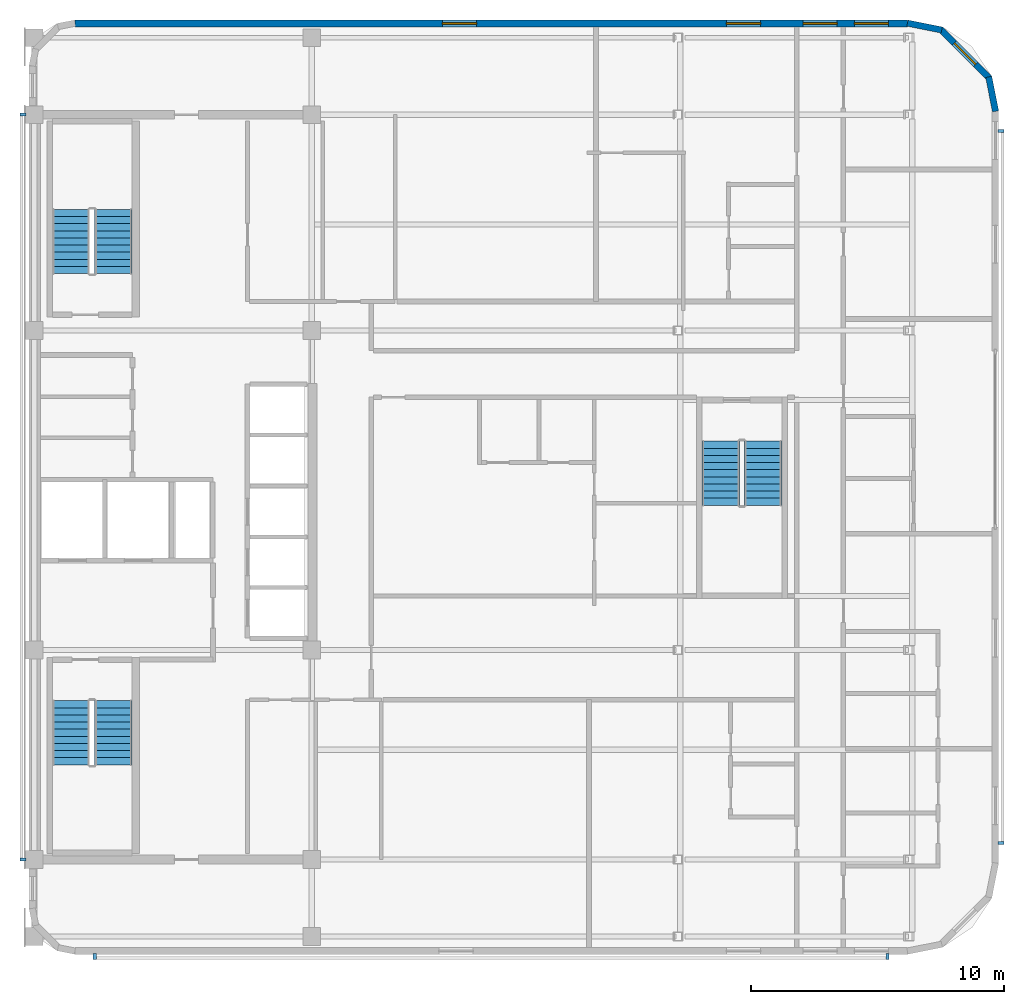
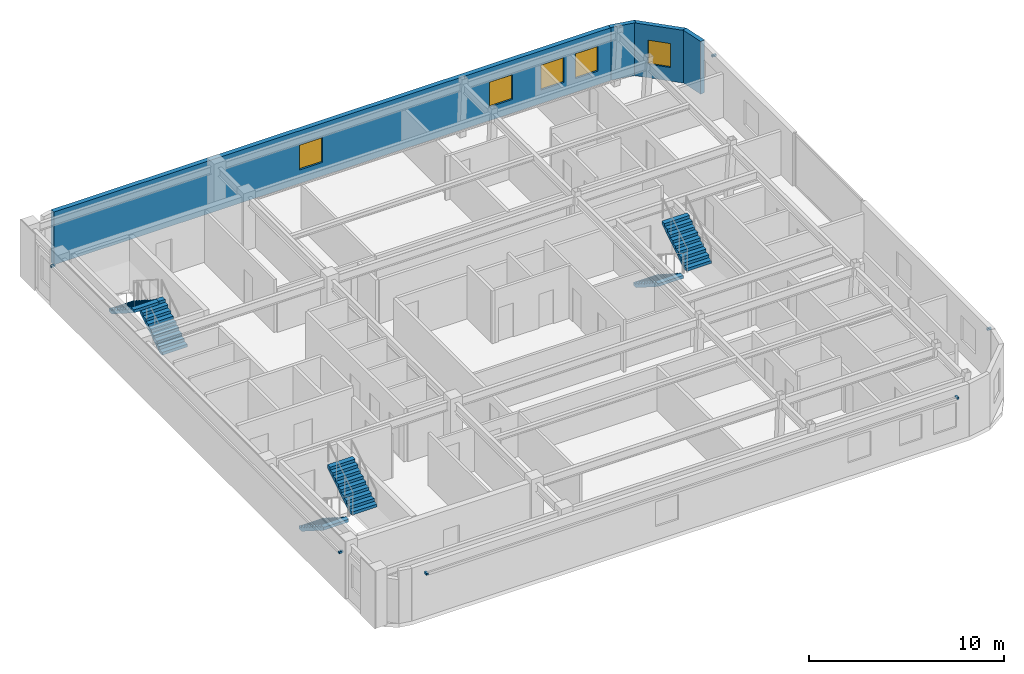
# One storey, part 7 of 11: 6 discrete accessories, 6 stair flights, 5 windows, 4 walls, 5 openings, 3 elements without a shape of their own.
"""IFC4 building model written with IfcOpenShell, lengths in metres."""

from ifc_helpers import new_model, si_unit, direction, frame, frame_2d, origin, origin_2d, place, context, subcontext, project, spatial, polyline, rectangle, outline, extrude, material, layer, layer_set, type_object, element, fill, aggregate, save


model = new_model("IFC4")

# Units and contexts
model_context = context("Model", 3, precision=1e-05, world=origin(), true_north=direction((0.0, 1.0)))
body_context = subcontext(model_context, "Body", "Model", "MODEL_VIEW")
ifc_project = project(units=[si_unit("LENGTHUNIT", "METRE"), si_unit("AREAUNIT", "SQUARE_METRE"), si_unit("VOLUMEUNIT", "CUBIC_METRE"), si_unit("PLANEANGLEUNIT", "RADIAN"), si_unit("MASSUNIT", "GRAM", prefix="KILO")], contexts=[model_context])

# Site, building, storey
site_placement = place(None, origin())
site = spatial("IfcSite", under=ifc_project, at=site_placement, CompositionType="ELEMENT")
building_placement = place(site_placement, origin())
building = spatial("IfcBuilding", under=site, at=building_placement, Name="Ochreholt Gables", CompositionType="ELEMENT")
storey_placement = place(building_placement, frame((0.0, 0.0, 278.39990234375)))
storey = spatial("IfcBuildingStorey", under=building, at=storey_placement, Name="L73", CompositionType="ELEMENT", Elevation=278.39990234375)

# Wall, openings, windows
ifc_material_1 = material(Name="Precast concrete 40 MPa", Category="concrete")
ifc_layer_1 = layer(ifc_material_1, 0.27001953125, Name="Precast concrete 40 MPa")
ifc_layer_set_1 = layer_set([ifc_layer_1], Name="Precast concrete 40 MPa")
wall_type_1 = type_object("IfcWallType", Name="WALL-EXT-270", PredefinedType="SOLIDWALL", material=ifc_layer_set_1)
wall_1_placement = place(storey_placement, frame((58.780029296875, 42.364990234375, 0.0), z_axis=(0.0, 0.0, 1.0), x_axis=(-1.0, 0.0, 0.0)))
wall_1 = element("IfcWall", 1, at=wall_1_placement, inside=storey, type_object=wall_type_1, Name="L73 North Exterior Wall", PredefinedType="SOLIDWALL", context=body_context, shape_type="SweptSolid", body=[
    extrude(rectangle(XDim=32.9599609375, YDim=0.27001953125, at=frame_2d((16.47998046875, 0.0))), origin(), (0.0, 0.0, 1.0), 3.300048828125),
])
opening_1_placement = place(wall_1_placement, frame((17.06005859375, 0.0, 0.85009765625)))
opening_1 = element("IfcOpeningElement", 2, at=opening_1_placement, cuts=wall_1, Name="Opening WN-8", PredefinedType="OPENING", context=body_context, shape_type="SweptSolid", body=[
    extrude(rectangle(XDim=1.35009765625, YDim=1.550048828125, at=frame_2d((0.675048828125, 0.77490234375))), frame((0.0, 0.14501953125, 0.0), z_axis=(0.0, -1.0, 0.0), x_axis=(1.0, 0.0, 0.0)), (0.0, 0.0, 1.0), 0.2900390625),
])
opening_2_placement = place(wall_1_placement, frame((5.8134765625, 0.0, 0.85009765625)))
opening_2 = element("IfcOpeningElement", 3, at=opening_2_placement, cuts=wall_1, Name="Opening WN-8", PredefinedType="OPENING", context=body_context, shape_type="SweptSolid", body=[
    extrude(rectangle(XDim=1.35009765625, YDim=1.550048828125, at=frame_2d((0.675048828125, 0.77490234375))), frame((0.0, 0.14501953125, 0.0), z_axis=(0.0, -1.0, 0.0), x_axis=(1.0, 0.0, 0.0)), (0.0, 0.0, 1.0), 0.2900390625),
])
opening_3_placement = place(wall_1_placement, frame((2.780029296875, 0.0, 0.85009765625)))
opening_3 = element("IfcOpeningElement", 4, at=opening_3_placement, cuts=wall_1, Name="Opening WN-8", PredefinedType="OPENING", context=body_context, shape_type="SweptSolid", body=[
    extrude(rectangle(XDim=1.35009765625, YDim=1.550048828125, at=frame_2d((0.675048828125, 0.77490234375))), frame((0.0, 0.14501953125, 0.0), z_axis=(0.0, -1.0, 0.0), x_axis=(1.0, 0.0, 0.0)), (0.0, 0.0, 1.0), 0.2900390625),
])
opening_4_placement = place(wall_1_placement, frame((0.745849609375, 0.0, 0.85009765625)))
opening_4 = element("IfcOpeningElement", 5, at=opening_4_placement, cuts=wall_1, Name="Opening WN-8", PredefinedType="OPENING", context=body_context, shape_type="SweptSolid", body=[
    extrude(rectangle(XDim=1.35009765625, YDim=1.550048828125, at=frame_2d((0.675048828125, 0.77490234375))), frame((0.0, 0.14501953125, 0.0), z_axis=(0.0, -1.0, 0.0), x_axis=(1.0, 0.0, 0.0)), (0.0, 0.0, 1.0), 0.2900390625),
])
ifc_material_2 = material(Name="Triple-Glazed Thermally Broken Aluminium Window", Category="aluminium")
window_type_1 = type_object("IfcWindowType", Name="WIN-RES-1350", PartitioningType="SINGLE_PANEL", PredefinedType="WINDOW", material=ifc_material_2)
window_1_placement = place(opening_1_placement, origin())
window_1 = element("IfcWindow", 6, at=window_1_placement, inside=storey, type_object=window_type_1, Name="L73 Window W-EXT-N-L73-1", OverallHeight=1.550048828125, OverallWidth=1.35009765625, PartitioningType="SINGLE_PANEL", PredefinedType="WINDOW", context=body_context, shape_type="SweptSolid", body=[
    extrude(rectangle(XDim=1.35009765625, YDim=1.550048828125, at=frame_2d((0.675048828125, 0.77490234375))), frame((0.0, 0.030029296875, 0.0), z_axis=(0.0, -1.0, 0.0), x_axis=(1.0, 0.0, 0.0)), (0.0, 0.0, 1.0), 0.06005859375),
])
fill(opening_1, window_1)
window_2_placement = place(opening_2_placement, origin())
window_2 = element("IfcWindow", 7, at=window_2_placement, inside=storey, type_object=window_type_1, Name="L73 Window W-EXT-N-L73-2", OverallHeight=1.550048828125, OverallWidth=1.35009765625, PartitioningType="SINGLE_PANEL", PredefinedType="WINDOW", context=body_context, shape_type="SweptSolid", body=[
    extrude(rectangle(XDim=1.35009765625, YDim=1.550048828125, at=frame_2d((0.675048828125, 0.77490234375))), frame((0.0, 0.030029296875, 0.0), z_axis=(0.0, -1.0, 0.0), x_axis=(1.0, 0.0, 0.0)), (0.0, 0.0, 1.0), 0.06005859375),
])
fill(opening_2, window_2)
window_3_placement = place(opening_3_placement, origin())
window_3 = element("IfcWindow", 8, at=window_3_placement, inside=storey, type_object=window_type_1, Name="L73 Window W-EXT-N-L73-3", OverallHeight=1.550048828125, OverallWidth=1.35009765625, PartitioningType="SINGLE_PANEL", PredefinedType="WINDOW", context=body_context, shape_type="SweptSolid", body=[
    extrude(rectangle(XDim=1.35009765625, YDim=1.550048828125, at=frame_2d((0.675048828125, 0.77490234375))), frame((0.0, 0.030029296875, 0.0), z_axis=(0.0, -1.0, 0.0), x_axis=(1.0, 0.0, 0.0)), (0.0, 0.0, 1.0), 0.06005859375),
])
fill(opening_3, window_3)
window_4_placement = place(opening_4_placement, origin())
window_4 = element("IfcWindow", 9, at=window_4_placement, inside=storey, type_object=window_type_1, Name="L73 Window W-EXT-N-L73-4", OverallHeight=1.550048828125, OverallWidth=1.35009765625, PartitioningType="SINGLE_PANEL", PredefinedType="WINDOW", context=body_context, shape_type="SweptSolid", body=[
    extrude(rectangle(XDim=1.35009765625, YDim=1.550048828125, at=frame_2d((0.675048828125, 0.77490234375))), frame((0.0, 0.030029296875, 0.0), z_axis=(0.0, -1.0, 0.0), x_axis=(1.0, 0.0, 0.0)), (0.0, 0.0, 1.0), 0.06005859375),
])
fill(opening_4, window_4)

# Wall
ifc_layer_2 = layer(ifc_material_1, 0.25, Name="Precast concrete 40 MPa")
ifc_layer_set_2 = layer_set([ifc_layer_2], Name="Precast concrete 40 MPa")
wall_type_2 = type_object("IfcWallType", Name="WALL-EXT-CNR", PredefinedType="SOLIDWALL", material=ifc_layer_set_2)
wall_2_placement = place(storey_placement, frame((62.27587890625, 38.883544921875, 0.0), z_axis=(0.0, 0.0, 1.0), x_axis=(-0.195135625965, 0.9807762678, 0.0)))
element("IfcWall", 10, at=wall_2_placement, inside=storey, type_object=wall_type_2, Name="L73 Rounded Corner Wall NE-1", PredefinedType="SOLIDWALL", context=body_context, shape_type="SweptSolid", body=[
    extrude(rectangle(XDim=1.388671875, YDim=0.25, at=frame_2d((0.6943359375, 0.0))), origin(), (0.0, 0.0, 1.0), 3.300048828125),
])

# Wall, opening, window
wall_3_placement = place(storey_placement, frame((62.031982421875, 40.195068359375, 0.0), z_axis=(0.0, 0.0, 1.0), x_axis=(-0.707106781187, 0.707106781187, 0.0)))
wall_3 = element("IfcWall", 11, at=wall_3_placement, inside=storey, type_object=wall_type_2, Name="L73 Rounded Corner Wall NE-2", PredefinedType="SOLIDWALL", context=body_context, shape_type="SweptSolid", body=[
    extrude(rectangle(XDim=2.7392578125, YDim=0.25, at=frame_2d((1.36962890625, 0.0))), origin(), (0.0, 0.0, 1.0), 3.300048828125),
])
opening_5_placement = place(wall_3_placement, frame((0.769775390625, 0.0, 0.85009765625)))
opening_5 = element("IfcOpeningElement", 12, at=opening_5_placement, cuts=wall_3, Name="Opening WN-3", PredefinedType="OPENING", context=body_context, shape_type="SweptSolid", body=[
    extrude(rectangle(XDim=1.199951171875, YDim=1.5, at=frame_2d((0.60009765625, 0.75))), frame((0.0, 0.135009765625, 0.0), z_axis=(0.0, -1.0, 0.0), x_axis=(1.0, 0.0, 0.0)), (0.0, 0.0, 1.0), 0.27001953125),
])
window_type_2 = type_object("IfcWindowType", Name="WIN-RES-1200", PartitioningType="SINGLE_PANEL", PredefinedType="WINDOW", material=ifc_material_2)
window_5_placement = place(opening_5_placement, origin())
window_5 = element("IfcWindow", 13, at=window_5_placement, inside=storey, type_object=window_type_2, Name="L73 Corner Bedroom Window NE", OverallHeight=1.5, OverallWidth=1.199951171875, PartitioningType="SINGLE_PANEL", PredefinedType="WINDOW", context=body_context, shape_type="SweptSolid", body=[
    extrude(rectangle(XDim=1.199951171875, YDim=1.5, at=frame_2d((0.60009765625, 0.75))), frame((0.0, 0.030029296875, 0.0), z_axis=(0.0, -1.0, 0.0), x_axis=(1.0, 0.0, 0.0)), (0.0, 0.0, 1.0), 0.06005859375),
])
fill(opening_5, window_5)

# Wall
wall_4_placement = place(storey_placement, frame((60.1455078125, 42.10498046875, 0.0), z_axis=(0.0, 0.0, 1.0), x_axis=(-0.980809899341, 0.19496651342, 0.0)))
element("IfcWall", 14, at=wall_4_placement, inside=storey, type_object=wall_type_2, Name="L73 Rounded Corner Wall NE-3", PredefinedType="SOLIDWALL", context=body_context, shape_type="SweptSolid", body=[
    extrude(rectangle(XDim=1.388671875, YDim=0.25, at=frame_2d((0.6943359375, 0.0))), origin(), (0.0, 0.0, 1.0), 3.300048828125),
])

# Stair, stair flights
ifc_material_3 = material(Name="Concrete 40 MPa", Category="concrete")
stair_type_1 = type_object("IfcStairType", Name="STAIR-CORE-ST-1", PredefinedType="HALF_TURN_STAIR", material=ifc_material_3)
stair_1_placement = place(storey_placement, origin())
stair_1 = element("IfcStair", 15, at=stair_1_placement, inside=storey, type_object=stair_type_1, Name="L73 Core Exit Stair 1", PredefinedType="HALF_TURN_STAIR")
stair_flight_type = type_object("IfcStairFlightType", Name="FLIGHT-ST-1480-1800", PredefinedType="STRAIGHT", material=ifc_material_3)
stair_flight_1_placement = place(storey_placement, frame((25.659912109375, 15.5400390625, 0.0), z_axis=(0.0, 0.0, 1.0), x_axis=(0.0, -1.0, 0.0)))
stair_flight_1 = element("IfcStairFlight", 16, at=stair_flight_1_placement, type_object=stair_flight_type, Name="ST-1 flight 1", NumberOfRisers=10, NumberOfTreads=9, PredefinedType="STRAIGHT", RiserHeight=0.18, TreadLength=0.282, context=body_context, shape_type="SweptSolid", body=[
    extrude(outline(polyline([(0.0, 0.0), (0.0, 0.179931640625), (0.281982421875, 0.179931640625), (0.281982421875, 0.360107421875), (0.56396484375, 0.360107421875), (0.56396484375, 0.5400390625), (0.845947265625, 0.5400390625), (0.845947265625, 0.719970703125), (1.1279296875, 0.719970703125), (1.1279296875, 0.89990234375), (1.409912109375, 0.89990234375), (1.409912109375, 1.080078125), (1.69189453125, 1.080078125), (1.69189453125, 1.260009765625), (1.97412109375, 1.260009765625), (1.97412109375, 1.43994140625), (2.256103515625, 1.43994140625), (2.256103515625, 1.6201171875), (2.5380859375, 1.6201171875), (2.5380859375, 1.800048828125), (2.5380859375, 1.442138671875), (0.278564453125, 0.0), (0.0, 0.0)])), frame((0.0, 0.739990234375, 0.0), z_axis=(0.0, -1.0, 0.0), x_axis=(1.0, 0.0, 0.0)), (0.0, 0.0, 1.0), 1.47998046875),
])
stair_flight_2_placement = place(storey_placement, frame((27.340087890625, 13.001953125, 1.800048828125), z_axis=(0.0, 0.0, 1.0), x_axis=(0.0, 1.0, 0.0)))
stair_flight_2 = element("IfcStairFlight", 17, at=stair_flight_2_placement, type_object=stair_flight_type, Name="ST-1 flight 2", NumberOfRisers=10, NumberOfTreads=9, PredefinedType="STRAIGHT", RiserHeight=0.18, TreadLength=0.282, context=body_context, shape_type="SweptSolid", body=[
    extrude(outline(polyline([(0.0, 0.0), (0.0, 0.179931640625), (0.281982421875, 0.179931640625), (0.281982421875, 0.360107421875), (0.56396484375, 0.360107421875), (0.56396484375, 0.5400390625), (0.845947265625, 0.5400390625), (0.845947265625, 0.719970703125), (1.1279296875, 0.719970703125), (1.1279296875, 0.89990234375), (1.409912109375, 0.89990234375), (1.409912109375, 1.080078125), (1.69189453125, 1.080078125), (1.69189453125, 1.260009765625), (1.97412109375, 1.260009765625), (1.97412109375, 1.43994140625), (2.256103515625, 1.43994140625), (2.256103515625, 1.6201171875), (2.5380859375, 1.6201171875), (2.5380859375, 1.800048828125), (2.5380859375, 1.442138671875), (0.278564453125, 0.0), (0.0, 0.0)])), frame((0.0, 0.739990234375, 0.0), z_axis=(0.0, -1.0, 0.0), x_axis=(1.0, 0.0, 0.0)), (0.0, 0.0, 1.0), 1.47998046875),
])
aggregate(stair_1, [stair_flight_1, stair_flight_2])

stair_type_2 = type_object("IfcStairType", Name="STAIR-CORE-ST-2", PredefinedType="HALF_TURN_STAIR", material=ifc_material_3)
stair_2_placement = place(storey_placement, origin())
stair_2 = element("IfcStair", 18, at=stair_2_placement, inside=storey, type_object=stair_type_2, Name="L73 Core Exit Stair 2", PredefinedType="HALF_TURN_STAIR")
stair_flight_3_placement = place(storey_placement, frame((27.340087890625, 32.4599609375, 0.0), z_axis=(0.0, 0.0, 1.0), x_axis=(0.0, 1.0, 0.0)))
stair_flight_3 = element("IfcStairFlight", 19, at=stair_flight_3_placement, type_object=stair_flight_type, Name="ST-2 flight 1", NumberOfRisers=10, NumberOfTreads=9, PredefinedType="STRAIGHT", RiserHeight=0.18, TreadLength=0.282, context=body_context, shape_type="SweptSolid", body=[
    extrude(outline(polyline([(0.0, 0.0), (0.0, 0.179931640625), (0.281982421875, 0.179931640625), (0.281982421875, 0.360107421875), (0.56396484375, 0.360107421875), (0.56396484375, 0.5400390625), (0.845947265625, 0.5400390625), (0.845947265625, 0.719970703125), (1.1279296875, 0.719970703125), (1.1279296875, 0.89990234375), (1.409912109375, 0.89990234375), (1.409912109375, 1.080078125), (1.69189453125, 1.080078125), (1.69189453125, 1.260009765625), (1.97412109375, 1.260009765625), (1.97412109375, 1.43994140625), (2.256103515625, 1.43994140625), (2.256103515625, 1.6201171875), (2.5380859375, 1.6201171875), (2.5380859375, 1.800048828125), (2.5380859375, 1.442138671875), (0.278564453125, 0.0), (0.0, 0.0)])), frame((0.0, 0.739990234375, 0.0), z_axis=(0.0, -1.0, 0.0), x_axis=(1.0, 0.0, 0.0)), (0.0, 0.0, 1.0), 1.47998046875),
])
stair_flight_4_placement = place(storey_placement, frame((25.659912109375, 34.998046875, 1.800048828125), z_axis=(0.0, 0.0, 1.0), x_axis=(0.0, -1.0, 0.0)))
stair_flight_4 = element("IfcStairFlight", 20, at=stair_flight_4_placement, type_object=stair_flight_type, Name="ST-2 flight 2", NumberOfRisers=10, NumberOfTreads=9, PredefinedType="STRAIGHT", RiserHeight=0.18, TreadLength=0.282, context=body_context, shape_type="SweptSolid", body=[
    extrude(outline(polyline([(0.0, 0.0), (0.0, 0.179931640625), (0.281982421875, 0.179931640625), (0.281982421875, 0.360107421875), (0.56396484375, 0.360107421875), (0.56396484375, 0.5400390625), (0.845947265625, 0.5400390625), (0.845947265625, 0.719970703125), (1.1279296875, 0.719970703125), (1.1279296875, 0.89990234375), (1.409912109375, 0.89990234375), (1.409912109375, 1.080078125), (1.69189453125, 1.080078125), (1.69189453125, 1.260009765625), (1.97412109375, 1.260009765625), (1.97412109375, 1.43994140625), (2.256103515625, 1.43994140625), (2.256103515625, 1.6201171875), (2.5380859375, 1.6201171875), (2.5380859375, 1.800048828125), (2.5380859375, 1.442138671875), (0.278564453125, 0.0), (0.0, 0.0)])), frame((0.0, 0.739990234375, 0.0), z_axis=(0.0, -1.0, 0.0), x_axis=(1.0, 0.0, 0.0)), (0.0, 0.0, 1.0), 1.47998046875),
])
aggregate(stair_2, [stair_flight_3, stair_flight_4])

stair_type_3 = type_object("IfcStairType", Name="STAIR-CORE-ST-C7", PredefinedType="HALF_TURN_STAIR", material=ifc_material_3)
stair_3_placement = place(storey_placement, origin())
stair_3 = element("IfcStair", 21, at=stair_3_placement, inside=storey, type_object=stair_type_3, Name="L73 Community Feature Stair ST-C7", PredefinedType="HALF_TURN_STAIR")
stair_flight_5_placement = place(storey_placement, frame((51.389892578125, 25.820068359375, 0.0), z_axis=(0.0, 0.0, 1.0), x_axis=(0.0, -1.0, 0.0)))
stair_flight_5 = element("IfcStairFlight", 22, at=stair_flight_5_placement, type_object=stair_flight_type, Name="ST-C7 flight 1", NumberOfRisers=10, NumberOfTreads=9, PredefinedType="STRAIGHT", RiserHeight=0.18, TreadLength=0.282, context=body_context, shape_type="SweptSolid", body=[
    extrude(outline(polyline([(0.0, 0.0), (0.0, 0.179931640625), (0.281982421875, 0.179931640625), (0.281982421875, 0.360107421875), (0.56396484375, 0.360107421875), (0.56396484375, 0.5400390625), (0.845947265625, 0.5400390625), (0.845947265625, 0.719970703125), (1.1279296875, 0.719970703125), (1.1279296875, 0.89990234375), (1.409912109375, 0.89990234375), (1.409912109375, 1.080078125), (1.69189453125, 1.080078125), (1.69189453125, 1.260009765625), (1.97412109375, 1.260009765625), (1.97412109375, 1.43994140625), (2.256103515625, 1.43994140625), (2.256103515625, 1.6201171875), (2.5380859375, 1.6201171875), (2.5380859375, 1.800048828125), (2.5380859375, 1.442138671875), (0.278564453125, 0.0), (0.0, 0.0)])), frame((0.0, 0.739990234375, 0.0), z_axis=(0.0, -1.0, 0.0), x_axis=(1.0, 0.0, 0.0)), (0.0, 0.0, 1.0), 1.47998046875),
])
stair_flight_6_placement = place(storey_placement, frame((53.070068359375, 23.281982421875, 1.800048828125), z_axis=(0.0, 0.0, 1.0), x_axis=(0.0, 1.0, 0.0)))
stair_flight_6 = element("IfcStairFlight", 23, at=stair_flight_6_placement, type_object=stair_flight_type, Name="ST-C7 flight 2", NumberOfRisers=10, NumberOfTreads=9, PredefinedType="STRAIGHT", RiserHeight=0.18, TreadLength=0.282, context=body_context, shape_type="SweptSolid", body=[
    extrude(outline(polyline([(0.0, 0.0), (0.0, 0.179931640625), (0.281982421875, 0.179931640625), (0.281982421875, 0.360107421875), (0.56396484375, 0.360107421875), (0.56396484375, 0.5400390625), (0.845947265625, 0.5400390625), (0.845947265625, 0.719970703125), (1.1279296875, 0.719970703125), (1.1279296875, 0.89990234375), (1.409912109375, 0.89990234375), (1.409912109375, 1.080078125), (1.69189453125, 1.080078125), (1.69189453125, 1.260009765625), (1.97412109375, 1.260009765625), (1.97412109375, 1.43994140625), (2.256103515625, 1.43994140625), (2.256103515625, 1.6201171875), (2.5380859375, 1.6201171875), (2.5380859375, 1.800048828125), (2.5380859375, 1.442138671875), (0.278564453125, 0.0), (0.0, 0.0)])), frame((0.0, 0.739990234375, 0.0), z_axis=(0.0, -1.0, 0.0), x_axis=(1.0, 0.0, 0.0)), (0.0, 0.0, 1.0), 1.47998046875),
])
aggregate(stair_3, [stair_flight_5, stair_flight_6])

# Discrete accessories
ifc_material_4 = material(Name="Extruded Aluminium Standoff Bracket", Category="aluminium")
discrete_accessory_type = type_object("IfcDiscreteAccessoryType", Name="ACC-BRACKET-AL", PredefinedType="BRACKET", material=ifc_material_4)
for number, where, z_axis, x_axis, name in (
    (24, (26.60009765625, 5.409912109375, 2.719970703125), (0.0, 0.0, 1.0), (1.0, 0.0, 0.0), "L73 Baguette Standoff Bracket S1-1"),
    (25, (58.0, 5.409912109375, 2.719970703125), (0.0, 0.0, 1.0), (1.0, 0.0, 0.0), "L73 Baguette Standoff Bracket S1-2"),
    (26, (62.489990234375, 9.89990234375, 2.719970703125), (0.0, 0.0, 1.0), (0.0, 1.0, 0.0), "L73 Baguette Standoff Bracket E1-1"),
    (27, (62.489990234375, 38.10009765625, 2.719970703125), (0.0, 0.0, 1.0), (0.0, 1.0, 0.0), "L73 Baguette Standoff Bracket E1-2"),
    (28, (23.760009765625, 38.75, 2.719970703125), (0.0, 0.0, 1.0), (0.0, -1.0, 0.0), "L73 Baguette Standoff Bracket W1-1"),
    (29, (23.760009765625, 9.25, 2.719970703125), (0.0, 0.0, 1.0), (0.0, -1.0, 0.0), "L73 Baguette Standoff Bracket W1-2"),
):
    element("IfcDiscreteAccessory", number, at=place(storey_placement, frame(where, z_axis=z_axis, x_axis=x_axis)), inside=storey, type_object=discrete_accessory_type, Name=name, PredefinedType="BRACKET", context=body_context, shape_type="SweptSolid", body=[
        extrude(rectangle(XDim=0.1201171875, YDim=0.239990234375, at=origin_2d()), origin(), (0.0, 0.0, 1.0), 0.1201171875),
    ])

save(model, "model.ifc")
